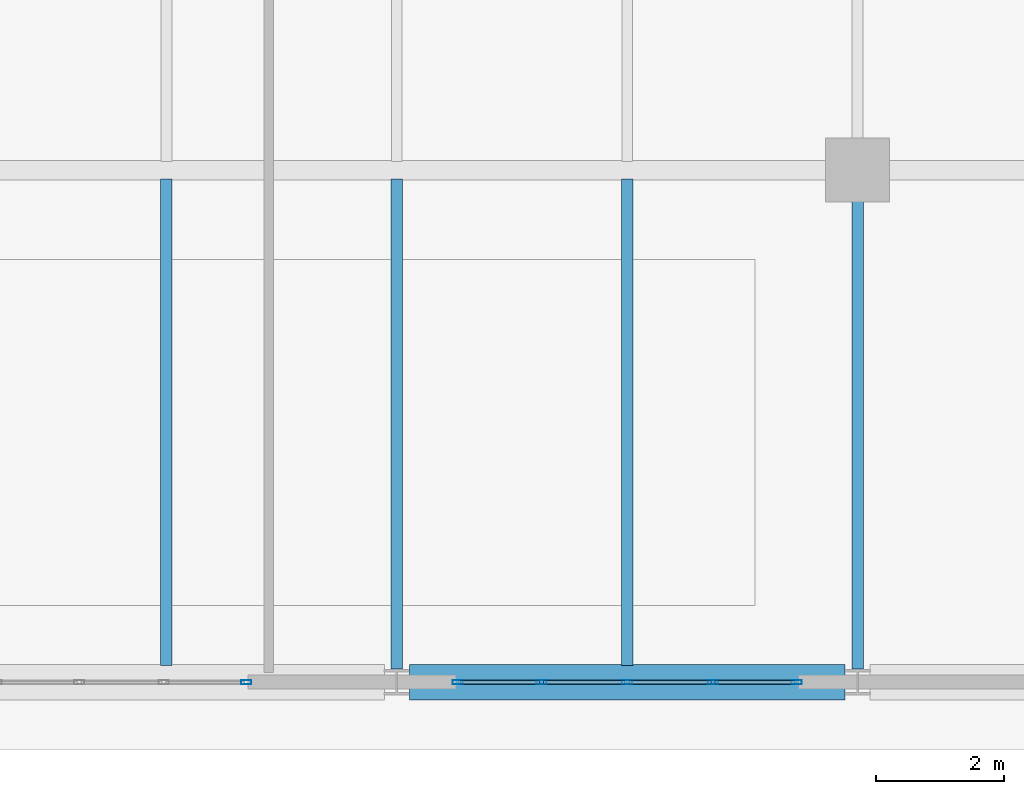
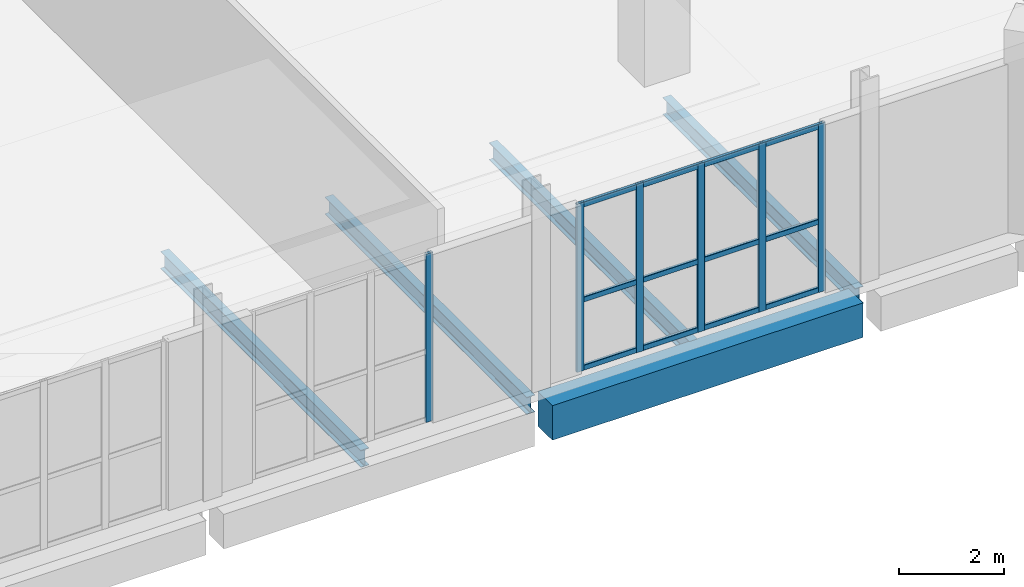
# One storey, part 17 of 36: 18 members, 5 beams, 2 elements without a shape of their own.
"""IFC4 building model written with IfcOpenShell, lengths in metres."""

from ifc_helpers import new_model, si_unit, direction, frame, origin, origin_2d, place, context, subcontext, project, spatial, rectangle, hollow_rectangle, i_section, extrude, material, layer, layer_set, material_profile, profile_set, type_object, element, aggregate, save


model = new_model("IFC4")

# Units and contexts
model_context = context("Model", 3, precision=1e-05, world=origin(), true_north=direction((0.0, 1.0)))
body_context = subcontext(model_context, "Body", "Model", "MODEL_VIEW")
ifc_project = project(units=[si_unit("LENGTHUNIT", "METRE"), si_unit("AREAUNIT", "SQUARE_METRE"), si_unit("VOLUMEUNIT", "CUBIC_METRE"), si_unit("PLANEANGLEUNIT", "RADIAN"), si_unit("MASSUNIT", "GRAM", prefix="KILO")], contexts=[model_context])

# Site, building, storey
site_placement = place(None, origin())
site = spatial("IfcSite", under=ifc_project, at=site_placement, CompositionType="ELEMENT")
building_placement = place(site_placement, origin())
building = spatial("IfcBuilding", under=site, at=building_placement, Name="Kaelvorn Grand Hotel", CompositionType="ELEMENT")
storey_placement = place(building_placement, frame((0.0, 0.0, 305.699951171875)))
storey = spatial("IfcBuildingStorey", under=building, at=storey_placement, Name="L74", CompositionType="ELEMENT", Elevation=305.699951171875)

# Beams
ifc_material_1 = material(Name="Steel S355", Category="steel")
ifc_material_profile_1 = material_profile(ifc_material_1, i_section(OverallWidth=0.179931640625, OverallDepth=0.39990234375, WebThickness=0.008544921875, FlangeThickness=0.013427734375, FilletRadius=0.02099609375, at=origin_2d()), Name="IPE 400")
ifc_profile_set_1 = profile_set([ifc_material_profile_1], Name="Steel S355")
beam_type_1 = type_object("IfcBeamType", Name="BM-J-IPE400-S355", PredefinedType="JOIST", material=ifc_profile_set_1)
beam_1_placement = place(storey_placement, frame((57.0, 7.260009765625, -0.579833984375), z_axis=(0.0, 1.0, 0.0), x_axis=(-1.0, 0.0, 0.0)))
element("IfcBeam", 1, at=beam_1_placement, inside=storey, type_object=beam_type_1, Name="L74 Composite Floor Joist JS-16", PredefinedType="JOIST", context=body_context, shape_type="SweptSolid", body=[
    extrude(i_section(OverallWidth=0.179931640625, OverallDepth=0.39990234375, WebThickness=0.008544921875, FlangeThickness=0.013427734375, FilletRadius=0.02099609375, at=origin_2d()), origin(), (0.0, 0.0, 1.0), 7.60400390625),
])
beam_2_placement = place(storey_placement, frame((60.60009765625, 7.205078125, -0.579833984375), z_axis=(0.0, 1.0, 0.0), x_axis=(-1.0, 0.0, 0.0)))
element("IfcBeam", 2, at=beam_2_placement, inside=storey, type_object=beam_type_1, Name="L74 Composite Floor Joist JS-17", PredefinedType="JOIST", context=body_context, shape_type="SweptSolid", body=[
    extrude(i_section(OverallWidth=0.179931640625, OverallDepth=0.39990234375, WebThickness=0.008544921875, FlangeThickness=0.013427734375, FilletRadius=0.02099609375, at=origin_2d()), origin(), (0.0, 0.0, 1.0), 7.658935546875),
])
beam_3_placement = place(storey_placement, frame((64.199951171875, 7.260009765625, -0.579833984375), z_axis=(0.0, 1.0, 0.0), x_axis=(-1.0, 0.0, 0.0)))
element("IfcBeam", 3, at=beam_3_placement, inside=storey, type_object=beam_type_1, Name="L74 Composite Floor Joist JS-18", PredefinedType="JOIST", context=body_context, shape_type="SweptSolid", body=[
    extrude(i_section(OverallWidth=0.179931640625, OverallDepth=0.39990234375, WebThickness=0.008544921875, FlangeThickness=0.013427734375, FilletRadius=0.02099609375, at=origin_2d()), origin(), (0.0, 0.0, 1.0), 7.60400390625),
])
beam_4_placement = place(storey_placement, frame((67.800048828125, 7.205078125, -0.579833984375), z_axis=(0.0, 1.0, 0.0), x_axis=(-1.0, 0.0, 0.0)))
element("IfcBeam", 4, at=beam_4_placement, inside=storey, type_object=beam_type_1, Name="L74 Composite Floor Joist JS-19", PredefinedType="JOIST", context=body_context, shape_type="SweptSolid", body=[
    extrude(i_section(OverallWidth=0.179931640625, OverallDepth=0.39990234375, WebThickness=0.008544921875, FlangeThickness=0.013427734375, FilletRadius=0.02099609375, at=origin_2d()), origin(), (0.0, 0.0, 1.0), 7.309814453125),
])
ifc_material_2 = material(Name="Concrete C50/60", Category="concrete")
ifc_material_profile_2 = material_profile(ifc_material_2, rectangle(XDim=0.550048828125, YDim=0.800048828125, at=origin_2d()), Name="RC SPANDREL 550x800")
ifc_profile_set_2 = profile_set([ifc_material_profile_2], Name="Concrete C50/60")
beam_type_2 = type_object("IfcBeamType", Name="BM-SP-550x800-C50", PredefinedType="SPANDREL", material=ifc_profile_set_2)
beam_5_placement = place(storey_placement, frame((60.794921875, 7.0, -0.780029296875), z_axis=(1.0, 0.0, 0.0), x_axis=(0.0, 1.0, 0.0)))
element("IfcBeam", 5, at=beam_5_placement, inside=storey, type_object=beam_type_2, Name="L74 South Perimeter Spandrel 08", PredefinedType="SPANDREL", context=body_context, shape_type="SweptSolid", body=[
    extrude(rectangle(XDim=0.550048828125, YDim=0.800048828125, at=origin_2d()), origin(), (0.0, 0.0, 1.0), 6.81005859375),
])

# Curtain wall, member
ifc_material_3 = material(Name="Anodised Aluminium", Category="aluminium")
ifc_layer = layer(ifc_material_3, 0.159912109375)
ifc_layer_set = layer_set([ifc_layer], Name="Anodised Aluminium")
curtain_wall_type = type_object("IfcCurtainWallType", Name="CW-SYS6", PredefinedType="NOTDEFINED", material=ifc_layer_set)
curtain_wall_1_placement = place(storey_placement, origin())
curtain_wall_1 = element("IfcCurtainWall", 6, at=curtain_wall_1_placement, inside=storey, type_object=curtain_wall_type, Name="L74 Unitised Curtain Wall CW6 (CW-L74-S-07)", PredefinedType="NOTDEFINED")
ifc_material_profile_3 = material_profile(ifc_material_3, hollow_rectangle(XDim=0.06494140625, YDim=0.159912109375, WallThickness=0.00341796875, InnerFilletRadius=0.00341796875, OuterFilletRadius=0.007080078125, at=origin_2d()), Name="ALU MULL 65x160")
ifc_profile_set_3 = profile_set([ifc_material_profile_3], Name="Anodised Aluminium")
member_type_1 = type_object("IfcMemberType", Name="CW-SYS6-MULL", PredefinedType="MULLION", material=ifc_profile_set_3)
member_1_placement = place(storey_placement, frame((58.24755859375, 7.0, 0.0), z_axis=(0.0, 0.0, 1.0), x_axis=(0.0, 1.0, 0.0)))
member_1 = element("IfcMember", 7, at=member_1_placement, type_object=member_type_1, Name="CW6 mullion 4", PredefinedType="MULLION", context=body_context, shape_type="SweptSolid", body=[
    extrude(hollow_rectangle(XDim=0.06494140625, YDim=0.159912109375, WallThickness=0.00341796875, InnerFilletRadius=0.00341796875, OuterFilletRadius=0.007080078125, at=origin_2d()), origin(), (0.0, 0.0, 1.0), 3.900146484375),
])
aggregate(curtain_wall_1, [member_1])

# Curtain wall, members
curtain_wall_2_placement = place(storey_placement, origin())
curtain_wall_2 = element("IfcCurtainWall", 8, at=curtain_wall_2_placement, inside=storey, type_object=curtain_wall_type, Name="L74 Unitised Curtain Wall CW6 (CW-L74-S-08)", PredefinedType="NOTDEFINED")
member_2_placement = place(storey_placement, frame((61.552490234375, 7.0, 0.0), z_axis=(0.0, 0.0, 1.0), x_axis=(0.0, 1.0, 0.0)))
member_2 = element("IfcMember", 9, at=member_2_placement, type_object=member_type_1, Name="CW6 mullion 1", PredefinedType="MULLION", context=body_context, shape_type="SweptSolid", body=[
    extrude(hollow_rectangle(XDim=0.06494140625, YDim=0.159912109375, WallThickness=0.00341796875, InnerFilletRadius=0.00341796875, OuterFilletRadius=0.007080078125, at=origin_2d()), origin(), (0.0, 0.0, 1.0), 3.900146484375),
])
member_3_placement = place(storey_placement, frame((62.860107421875, 7.0, 0.0), z_axis=(0.0, 0.0, 1.0), x_axis=(0.0, 1.0, 0.0)))
member_3 = element("IfcMember", 10, at=member_3_placement, type_object=member_type_1, Name="CW6 mullion 2", PredefinedType="MULLION", context=body_context, shape_type="SweptSolid", body=[
    extrude(hollow_rectangle(XDim=0.06494140625, YDim=0.159912109375, WallThickness=0.00341796875, InnerFilletRadius=0.00341796875, OuterFilletRadius=0.007080078125, at=origin_2d()), origin(), (0.0, 0.0, 1.0), 3.900146484375),
])
member_4_placement = place(storey_placement, frame((64.199951171875, 7.0, 0.0), z_axis=(0.0, 0.0, 1.0), x_axis=(0.0, 1.0, 0.0)))
member_4 = element("IfcMember", 11, at=member_4_placement, type_object=member_type_1, Name="CW6 mullion 3", PredefinedType="MULLION", context=body_context, shape_type="SweptSolid", body=[
    extrude(hollow_rectangle(XDim=0.06494140625, YDim=0.159912109375, WallThickness=0.00341796875, InnerFilletRadius=0.00341796875, OuterFilletRadius=0.007080078125, at=origin_2d()), origin(), (0.0, 0.0, 1.0), 3.900146484375),
])
member_5_placement = place(storey_placement, frame((65.5400390625, 7.0, 0.0), z_axis=(0.0, 0.0, 1.0), x_axis=(0.0, 1.0, 0.0)))
member_5 = element("IfcMember", 12, at=member_5_placement, type_object=member_type_1, Name="CW6 mullion 4", PredefinedType="MULLION", context=body_context, shape_type="SweptSolid", body=[
    extrude(hollow_rectangle(XDim=0.06494140625, YDim=0.159912109375, WallThickness=0.00341796875, InnerFilletRadius=0.00341796875, OuterFilletRadius=0.007080078125, at=origin_2d()), origin(), (0.0, 0.0, 1.0), 3.900146484375),
])
member_6_placement = place(storey_placement, frame((66.847412109375, 7.0, 0.0), z_axis=(0.0, 0.0, 1.0), x_axis=(0.0, 1.0, 0.0)))
member_6 = element("IfcMember", 13, at=member_6_placement, type_object=member_type_1, Name="CW6 mullion 5", PredefinedType="MULLION", context=body_context, shape_type="SweptSolid", body=[
    extrude(hollow_rectangle(XDim=0.06494140625, YDim=0.159912109375, WallThickness=0.00341796875, InnerFilletRadius=0.00341796875, OuterFilletRadius=0.007080078125, at=origin_2d()), origin(), (0.0, 0.0, 1.0), 3.900146484375),
])
ifc_material_profile_4 = material_profile(ifc_material_3, hollow_rectangle(XDim=0.06494140625, YDim=0.1201171875, WallThickness=0.00341796875, InnerFilletRadius=0.00341796875, OuterFilletRadius=0.007080078125, at=origin_2d()), Name="ALU TRAN 65x120")
ifc_profile_set_4 = profile_set([ifc_material_profile_4], Name="Anodised Aluminium")
member_type_2 = type_object("IfcMemberType", Name="CW-SYS6-TRAN", PredefinedType="NOTDEFINED", material=ifc_profile_set_4)
member_7_placement = place(storey_placement, frame((61.5849609375, 7.0, 0.06005859375), z_axis=(1.0, 0.0, 0.0), x_axis=(0.0, 1.0, 0.0)))
member_7 = element("IfcMember", 14, at=member_7_placement, type_object=member_type_2, Name="CW6 transom 1.1", ObjectType="TRANSOM", PredefinedType="USERDEFINED", context=body_context, shape_type="SweptSolid", body=[
    extrude(hollow_rectangle(XDim=0.06494140625, YDim=0.1201171875, WallThickness=0.00341796875, InnerFilletRadius=0.00341796875, OuterFilletRadius=0.007080078125, at=origin_2d()), origin(), (0.0, 0.0, 1.0), 1.242431640625),
])
member_8_placement = place(storey_placement, frame((61.5849609375, 7.0, 1.637939453125), z_axis=(1.0, 0.0, 0.0), x_axis=(0.0, 1.0, 0.0)))
member_8 = element("IfcMember", 15, at=member_8_placement, type_object=member_type_2, Name="CW6 transom 1.2", ObjectType="TRANSOM", PredefinedType="USERDEFINED", context=body_context, shape_type="SweptSolid", body=[
    extrude(hollow_rectangle(XDim=0.06494140625, YDim=0.1201171875, WallThickness=0.00341796875, InnerFilletRadius=0.00341796875, OuterFilletRadius=0.007080078125, at=origin_2d()), origin(), (0.0, 0.0, 1.0), 1.242431640625),
])
member_9_placement = place(storey_placement, frame((61.5849609375, 7.0, 3.840087890625), z_axis=(1.0, 0.0, 0.0), x_axis=(0.0, 1.0, 0.0)))
member_9 = element("IfcMember", 16, at=member_9_placement, type_object=member_type_2, Name="CW6 transom 1.3", ObjectType="TRANSOM", PredefinedType="USERDEFINED", context=body_context, shape_type="SweptSolid", body=[
    extrude(hollow_rectangle(XDim=0.06494140625, YDim=0.1201171875, WallThickness=0.00341796875, InnerFilletRadius=0.00341796875, OuterFilletRadius=0.007080078125, at=origin_2d()), origin(), (0.0, 0.0, 1.0), 1.242431640625),
])
member_10_placement = place(storey_placement, frame((62.892578125, 7.0, 0.06005859375), z_axis=(1.0, 0.0, 0.0), x_axis=(0.0, 1.0, 0.0)))
member_10 = element("IfcMember", 17, at=member_10_placement, type_object=member_type_2, Name="CW6 transom 2.1", ObjectType="TRANSOM", PredefinedType="USERDEFINED", context=body_context, shape_type="SweptSolid", body=[
    extrude(hollow_rectangle(XDim=0.06494140625, YDim=0.1201171875, WallThickness=0.00341796875, InnerFilletRadius=0.00341796875, OuterFilletRadius=0.007080078125, at=origin_2d()), origin(), (0.0, 0.0, 1.0), 1.27490234375),
])
member_11_placement = place(storey_placement, frame((62.892578125, 7.0, 1.637939453125), z_axis=(1.0, 0.0, 0.0), x_axis=(0.0, 1.0, 0.0)))
member_11 = element("IfcMember", 18, at=member_11_placement, type_object=member_type_2, Name="CW6 transom 2.2", ObjectType="TRANSOM", PredefinedType="USERDEFINED", context=body_context, shape_type="SweptSolid", body=[
    extrude(hollow_rectangle(XDim=0.06494140625, YDim=0.1201171875, WallThickness=0.00341796875, InnerFilletRadius=0.00341796875, OuterFilletRadius=0.007080078125, at=origin_2d()), origin(), (0.0, 0.0, 1.0), 1.27490234375),
])
member_12_placement = place(storey_placement, frame((62.892578125, 7.0, 3.840087890625), z_axis=(1.0, 0.0, 0.0), x_axis=(0.0, 1.0, 0.0)))
member_12 = element("IfcMember", 19, at=member_12_placement, type_object=member_type_2, Name="CW6 transom 2.3", ObjectType="TRANSOM", PredefinedType="USERDEFINED", context=body_context, shape_type="SweptSolid", body=[
    extrude(hollow_rectangle(XDim=0.06494140625, YDim=0.1201171875, WallThickness=0.00341796875, InnerFilletRadius=0.00341796875, OuterFilletRadius=0.007080078125, at=origin_2d()), origin(), (0.0, 0.0, 1.0), 1.27490234375),
])
member_13_placement = place(storey_placement, frame((64.232421875, 7.0, 0.06005859375), z_axis=(1.0, 0.0, 0.0), x_axis=(0.0, 1.0, 0.0)))
member_13 = element("IfcMember", 20, at=member_13_placement, type_object=member_type_2, Name="CW6 transom 3.1", ObjectType="TRANSOM", PredefinedType="USERDEFINED", context=body_context, shape_type="SweptSolid", body=[
    extrude(hollow_rectangle(XDim=0.06494140625, YDim=0.1201171875, WallThickness=0.00341796875, InnerFilletRadius=0.00341796875, OuterFilletRadius=0.007080078125, at=origin_2d()), origin(), (0.0, 0.0, 1.0), 1.275146484375),
])
member_14_placement = place(storey_placement, frame((64.232421875, 7.0, 1.637939453125), z_axis=(1.0, 0.0, 0.0), x_axis=(0.0, 1.0, 0.0)))
member_14 = element("IfcMember", 21, at=member_14_placement, type_object=member_type_2, Name="CW6 transom 3.2", ObjectType="TRANSOM", PredefinedType="USERDEFINED", context=body_context, shape_type="SweptSolid", body=[
    extrude(hollow_rectangle(XDim=0.06494140625, YDim=0.1201171875, WallThickness=0.00341796875, InnerFilletRadius=0.00341796875, OuterFilletRadius=0.007080078125, at=origin_2d()), origin(), (0.0, 0.0, 1.0), 1.275146484375),
])
member_15_placement = place(storey_placement, frame((64.232421875, 7.0, 3.840087890625), z_axis=(1.0, 0.0, 0.0), x_axis=(0.0, 1.0, 0.0)))
member_15 = element("IfcMember", 22, at=member_15_placement, type_object=member_type_2, Name="CW6 transom 3.3", ObjectType="TRANSOM", PredefinedType="USERDEFINED", context=body_context, shape_type="SweptSolid", body=[
    extrude(hollow_rectangle(XDim=0.06494140625, YDim=0.1201171875, WallThickness=0.00341796875, InnerFilletRadius=0.00341796875, OuterFilletRadius=0.007080078125, at=origin_2d()), origin(), (0.0, 0.0, 1.0), 1.275146484375),
])
member_16_placement = place(storey_placement, frame((65.572509765625, 7.0, 0.06005859375), z_axis=(1.0, 0.0, 0.0), x_axis=(0.0, 1.0, 0.0)))
member_16 = element("IfcMember", 23, at=member_16_placement, type_object=member_type_2, Name="CW6 transom 4.1", ObjectType="TRANSOM", PredefinedType="USERDEFINED", context=body_context, shape_type="SweptSolid", body=[
    extrude(hollow_rectangle(XDim=0.06494140625, YDim=0.1201171875, WallThickness=0.00341796875, InnerFilletRadius=0.00341796875, OuterFilletRadius=0.007080078125, at=origin_2d()), origin(), (0.0, 0.0, 1.0), 1.242431640625),
])
member_17_placement = place(storey_placement, frame((65.572509765625, 7.0, 1.637939453125), z_axis=(1.0, 0.0, 0.0), x_axis=(0.0, 1.0, 0.0)))
member_17 = element("IfcMember", 24, at=member_17_placement, type_object=member_type_2, Name="CW6 transom 4.2", ObjectType="TRANSOM", PredefinedType="USERDEFINED", context=body_context, shape_type="SweptSolid", body=[
    extrude(hollow_rectangle(XDim=0.06494140625, YDim=0.1201171875, WallThickness=0.00341796875, InnerFilletRadius=0.00341796875, OuterFilletRadius=0.007080078125, at=origin_2d()), origin(), (0.0, 0.0, 1.0), 1.242431640625),
])
member_18_placement = place(storey_placement, frame((65.572509765625, 7.0, 3.840087890625), z_axis=(1.0, 0.0, 0.0), x_axis=(0.0, 1.0, 0.0)))
member_18 = element("IfcMember", 25, at=member_18_placement, type_object=member_type_2, Name="CW6 transom 4.3", ObjectType="TRANSOM", PredefinedType="USERDEFINED", context=body_context, shape_type="SweptSolid", body=[
    extrude(hollow_rectangle(XDim=0.06494140625, YDim=0.1201171875, WallThickness=0.00341796875, InnerFilletRadius=0.00341796875, OuterFilletRadius=0.007080078125, at=origin_2d()), origin(), (0.0, 0.0, 1.0), 1.242431640625),
])
aggregate(curtain_wall_2, [member_2, member_3, member_4, member_5, member_6, member_7, member_8, member_9, member_10, member_11, member_12, member_13, member_14, member_15, member_16, member_17, member_18])

save(model, "model.ifc")
